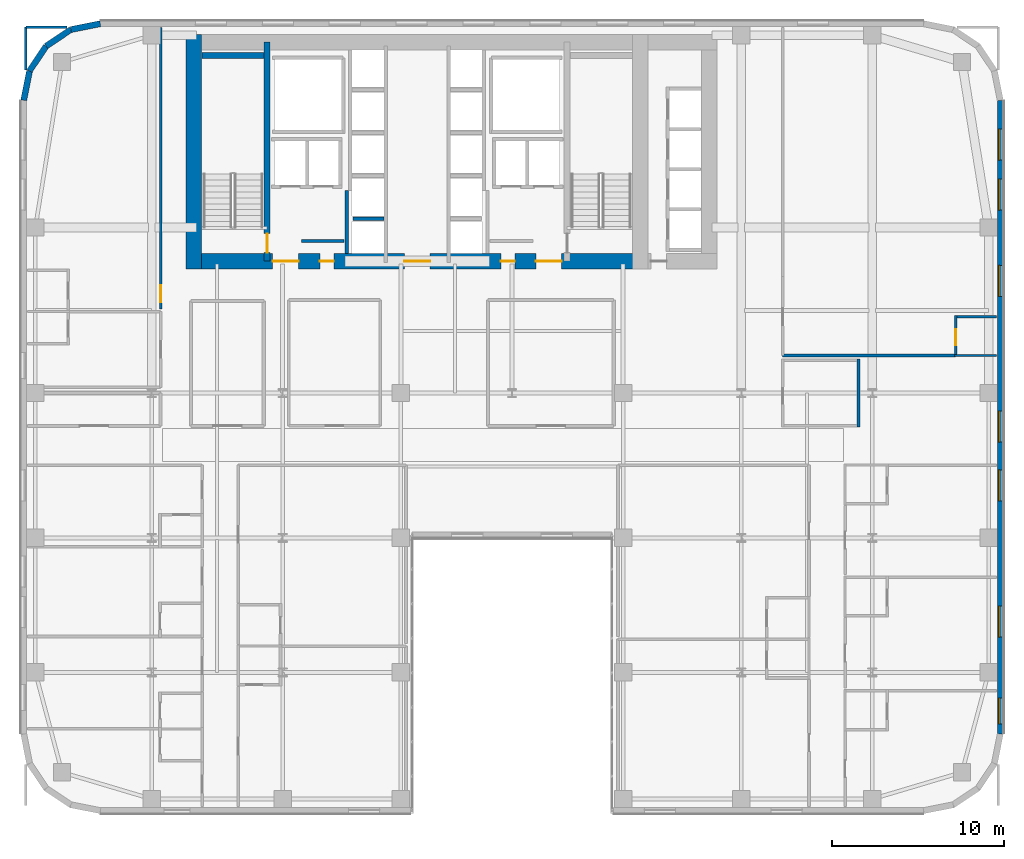
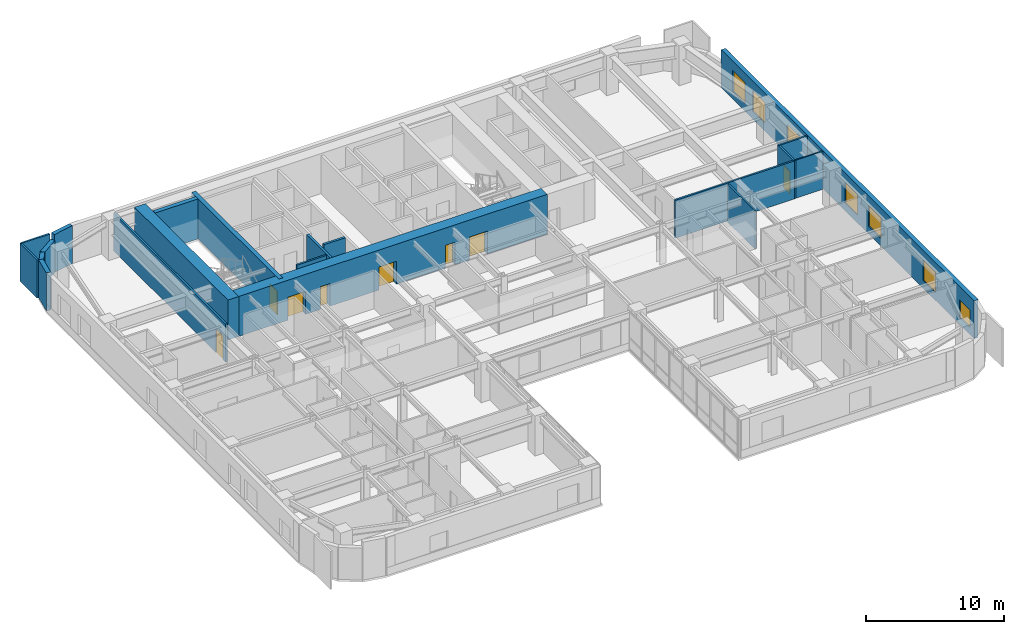
# One storey, part 17 of 25: 20 walls, 8 doors, 7 windows, 15 openings.
"""IFC4 building model written with IfcOpenShell, lengths in metres."""

from ifc_helpers import new_model, si_unit, direction, frame, frame_2d, origin, place, context, subcontext, project, spatial, rectangle, extrude, source, transform, mapped, material, layer, layer_set, type_object, type_shapes, element, fill, save


model = new_model("IFC4")

# Units and contexts
model_context = context("Model", 3, precision=1e-05, world=origin(), true_north=direction((0.0, 1.0)))
body_context = subcontext(model_context, "Body", "Model", "MODEL_VIEW")
ifc_project = project(units=[si_unit("LENGTHUNIT", "METRE"), si_unit("AREAUNIT", "SQUARE_METRE"), si_unit("VOLUMEUNIT", "CUBIC_METRE"), si_unit("PLANEANGLEUNIT", "RADIAN"), si_unit("MASSUNIT", "GRAM", prefix="KILO")], contexts=[model_context])

# Site, building, storey
site_placement = place(None, origin())
site = spatial("IfcSite", under=ifc_project, at=site_placement, CompositionType="ELEMENT")
building_placement = place(site_placement, origin())
building = spatial("IfcBuilding", under=site, at=building_placement, Name="Tolvann Quenvar Hotel", CompositionType="ELEMENT")
storey_placement = place(building_placement, frame((0.0, 0.0, 60.39990234375)))
storey = spatial("IfcBuildingStorey", under=building, at=storey_placement, Name="L14", CompositionType="ELEMENT", Elevation=60.39990234375)

# Wall, openings, doors
ifc_material_1 = material(Name="Concrete S80 (80 MPa)", Category="concrete")
ifc_layer_1 = layer(ifc_material_1, 0.89990234375)
ifc_layer_set_1 = layer_set([ifc_layer_1], Name="Concrete S80 (80 MPa)")
wall_type_1 = type_object("IfcWallType", Name="WALL_CORE_900", PredefinedType="SHEAR", material=ifc_layer_set_1)
wall_1_placement = place(storey_placement, frame((9.60009765625, 32.050048828125, 0.0), z_axis=(0.0, 0.0, 1.0), x_axis=(1.0, 0.0, 0.0)))
wall_1 = element("IfcWall", 1, at=wall_1_placement, inside=storey, type_object=wall_type_1, Name="Rear Core S Shear Wall (L14)", PredefinedType="SHEAR", context=body_context, shape_type="SweptSolid", body=[
    extrude(rectangle(XDim=26.7998046875, YDim=0.89990234375, at=frame_2d((13.39990234375, 0.0))), origin(), (0.0, 0.0, 1.0), 3.550048828125),
])
opening_1_placement = place(wall_1_placement, frame((6.52001953125, 0.0, 0.0), z_axis=(0.0, 0.0, 1.0), x_axis=(-1.0, 0.0, 0.0)))
opening_1 = element("IfcOpeningElement", 2, at=opening_1_placement, cuts=wall_1, Name="Opening FD-60D", PredefinedType="OPENING", context=body_context, shape_type="SweptSolid", body=[
    extrude(rectangle(XDim=1.5, YDim=2.0400390625, at=frame_2d((0.75, 1.02001953125))), frame((0.0, 0.4599609375, 0.0), z_axis=(0.0, -1.0, 0.0), x_axis=(1.0, 0.0, 0.0)), (0.0, 0.0, 1.0), 0.919921875),
])
opening_2_placement = place(wall_1_placement, frame((14.14990234375, 0.0, 0.0), z_axis=(0.0, 0.0, 1.0), x_axis=(-1.0, 0.0, 0.0)))
opening_2 = element("IfcOpeningElement", 3, at=opening_2_placement, cuts=wall_1, Name="Opening FD-60D", PredefinedType="OPENING", context=body_context, shape_type="SweptSolid", body=[
    extrude(rectangle(XDim=1.5, YDim=2.0400390625, at=frame_2d((0.75, 1.02001953125))), frame((0.0, 0.4599609375, 0.0), z_axis=(0.0, -1.0, 0.0), x_axis=(1.0, 0.0, 0.0)), (0.0, 0.0, 1.0), 0.919921875),
])
opening_3_placement = place(wall_1_placement, frame((21.780029296875, 0.0, 0.0), z_axis=(0.0, 0.0, 1.0), x_axis=(-1.0, 0.0, 0.0)))
opening_3 = element("IfcOpeningElement", 4, at=opening_3_placement, cuts=wall_1, Name="Opening FD-60D", PredefinedType="OPENING", context=body_context, shape_type="SweptSolid", body=[
    extrude(rectangle(XDim=1.5, YDim=2.0400390625, at=frame_2d((0.75, 1.02001953125))), frame((0.0, 0.4599609375, 0.0), z_axis=(0.0, -1.0, 0.0), x_axis=(1.0, 0.0, 0.0)), (0.0, 0.0, 1.0), 0.919921875),
])
opening_4_placement = place(wall_1_placement, frame((8.570068359375, 0.0, 0.0), z_axis=(0.0, 0.0, 1.0), x_axis=(-1.0, 0.0, 0.0)))
opening_4 = element("IfcOpeningElement", 5, at=opening_4_placement, cuts=wall_1, Name="Opening HD-02", PredefinedType="OPENING", context=body_context, shape_type="SweptSolid", body=[
    extrude(rectangle(XDim=0.820068359375, YDim=2.010009765625, at=frame_2d((0.41015625, 1.0048828125))), frame((0.0, 0.4599609375, 0.0), z_axis=(0.0, -1.0, 0.0), x_axis=(1.0, 0.0, 0.0)), (0.0, 0.0, 1.0), 0.919921875),
])
opening_5_placement = place(wall_1_placement, frame((19.070068359375, 0.0, 0.0), z_axis=(0.0, 0.0, 1.0), x_axis=(-1.0, 0.0, 0.0)))
opening_5 = element("IfcOpeningElement", 6, at=opening_5_placement, cuts=wall_1, Name="Opening HD-02", PredefinedType="OPENING", context=body_context, shape_type="SweptSolid", body=[
    extrude(rectangle(XDim=0.820068359375, YDim=2.010009765625, at=frame_2d((0.41015625, 1.0048828125))), frame((0.0, 0.4599609375, 0.0), z_axis=(0.0, -1.0, 0.0), x_axis=(1.0, 0.0, 0.0)), (0.0, 0.0, 1.0), 0.919921875),
])
ifc_material_2 = material(Name="Solid-core American oak acoustic fire door leaf in steel frame", Category="steel")
door_type_1 = type_object("IfcDoorType", Name="DOOR_FIRE_LOBBY_1500", OperationType="NOTDEFINED", PredefinedType="DOOR", material=ifc_material_2)
shared_shape_1 = source(origin(), body_context, "Body", "SweptSolid", [
    extrude(rectangle(XDim=1.5, YDim=2.0400390625, at=frame_2d((0.75, 1.02001953125))), frame((0.0, 0.02490234375, 0.0), z_axis=(0.0, -1.0, 0.0), x_axis=(1.0, 0.0, 0.0)), (0.0, 0.0, 1.0), 0.050048828125),
])
type_shapes(door_type_1, [shared_shape_1])
door_1_placement = place(opening_1_placement, origin())
door_1 = element("IfcDoor", 7, at=door_1_placement, inside=storey, type_object=door_type_1, Name="Core Lobby Fire Door FFW (L14)", OperationType="DOUBLE_DOOR_SINGLE_SWING", OverallHeight=2.0400390625, OverallWidth=1.5, PredefinedType="DOOR", context=body_context, shape_type="MappedRepresentation", body=[
    mapped(shared_shape_1, transform((0.0, 0.0, 0.0), x_axis=(1.0, 0.0, 0.0), y_axis=(0.0, 1.0, 0.0), z_axis=(0.0, 0.0, 1.0), scale=1.0)),
])
fill(opening_1, door_1)
door_2_placement = place(opening_2_placement, origin())
door_2 = element("IfcDoor", 8, at=door_2_placement, inside=storey, type_object=door_type_1, Name="Core Lobby Fire Door CLOB (L14)", OperationType="DOUBLE_DOOR_SINGLE_SWING", OverallHeight=2.0400390625, OverallWidth=1.5, PredefinedType="DOOR", context=body_context, shape_type="MappedRepresentation", body=[
    mapped(shared_shape_1, transform((0.0, 0.0, 0.0), x_axis=(1.0, 0.0, 0.0), y_axis=(0.0, 1.0, 0.0), z_axis=(0.0, 0.0, 1.0), scale=1.0)),
])
fill(opening_2, door_2)
door_3_placement = place(opening_3_placement, origin())
door_3 = element("IfcDoor", 9, at=door_3_placement, inside=storey, type_object=door_type_1, Name="Core Lobby Fire Door FFE (L14)", OperationType="DOUBLE_DOOR_SINGLE_SWING", OverallHeight=2.0400390625, OverallWidth=1.5, PredefinedType="DOOR", context=body_context, shape_type="MappedRepresentation", body=[
    mapped(shared_shape_1, transform((0.0, 0.0, 0.0), x_axis=(1.0, 0.0, 0.0), y_axis=(0.0, 1.0, 0.0), z_axis=(0.0, 0.0, 1.0), scale=1.0)),
])
fill(opening_3, door_3)
ifc_material_3 = material(Name="Pressed galvanised steel fire-rated door set", Category="steel")
door_type_2 = type_object("IfcDoorType", Name="DOOR_STORE_820", OperationType="NOTDEFINED", PredefinedType="DOOR", material=ifc_material_3)
shared_shape_2 = source(origin(), body_context, "Body", "SweptSolid", [
    extrude(rectangle(XDim=0.820068359375, YDim=2.010009765625, at=frame_2d((0.41015625, 1.0048828125))), frame((0.0, 0.02490234375, 0.0), z_axis=(0.0, -1.0, 0.0), x_axis=(1.0, 0.0, 0.0)), (0.0, 0.0, 1.0), 0.050048828125),
])
type_shapes(door_type_2, [shared_shape_2])
door_4_placement = place(opening_4_placement, origin())
door_4 = element("IfcDoor", 10, at=door_4_placement, inside=storey, type_object=door_type_2, Name="Core Linen Store Fire Door (L14)", OperationType="SINGLE_SWING_RIGHT", OverallHeight=2.010009765625, OverallWidth=0.820068359375, PredefinedType="DOOR", context=body_context, shape_type="MappedRepresentation", body=[
    mapped(shared_shape_2, transform((0.0, 0.0, 0.0), x_axis=(1.0, 0.0, 0.0), y_axis=(0.0, 1.0, 0.0), z_axis=(0.0, 0.0, 1.0), scale=1.0)),
])
fill(opening_4, door_4)
door_5_placement = place(opening_5_placement, origin())
door_5 = element("IfcDoor", 11, at=door_5_placement, inside=storey, type_object=door_type_2, Name="Core Comms Closet Fire Door (L14)", OperationType="SINGLE_SWING_LEFT", OverallHeight=2.010009765625, OverallWidth=0.820068359375, PredefinedType="DOOR", context=body_context, shape_type="MappedRepresentation", body=[
    mapped(shared_shape_2, transform((0.0, 0.0, 0.0), x_axis=(1.0, 0.0, 0.0), y_axis=(0.0, 1.0, 0.0), z_axis=(0.0, 0.0, 1.0), scale=1.0)),
])
fill(opening_5, door_5)

# Wall
wall_2_placement = place(storey_placement, frame((10.050048828125, 31.60009765625, 0.0), z_axis=(0.0, 0.0, 1.0), x_axis=(0.0, 1.0, 0.0)))
element("IfcWall", 12, at=wall_2_placement, inside=storey, type_object=wall_type_1, Name="Rear Core W Shear Wall (L14)", PredefinedType="SHEAR", context=body_context, shape_type="SweptSolid", body=[
    extrude(rectangle(XDim=13.599853515625, YDim=0.89990234375, at=frame_2d((6.7998046875, 0.0))), origin(), (0.0, 0.0, 1.0), 3.550048828125),
])

# Wall, opening, door
ifc_material_4 = material(Name="Concrete S65 (65 MPa)", Category="concrete")
ifc_layer_2 = layer(ifc_material_4, 0.35009765625)
ifc_layer_set_2 = layer_set([ifc_layer_2], Name="Concrete S65 (65 MPa)")
wall_type_2 = type_object("IfcWallType", Name="WALL_CORE_INT_350", PredefinedType="SHEAR", material=ifc_layer_set_2)
wall_3_placement = place(storey_placement, frame((14.300048828125, 32.050048828125, 0.0), z_axis=(0.0, 0.0, 1.0), x_axis=(0.0, 1.0, 0.0)))
wall_3 = element("IfcWall", 13, at=wall_3_placement, inside=storey, type_object=wall_type_2, Name="Core Internal Web Shear Wall WEB-W (L14)", PredefinedType="SHEAR", context=body_context, shape_type="SweptSolid", body=[
    extrude(rectangle(XDim=12.699951171875, YDim=0.35009765625, at=frame_2d((6.35009765625, 0.0))), origin(), (0.0, 0.0, 1.0), 3.550048828125),
])
opening_6_placement = place(wall_3_placement, frame((0.5, 0.0, 0.0)))
opening_6 = element("IfcOpeningElement", 14, at=opening_6_placement, cuts=wall_3, Name="Opening FD-120", PredefinedType="OPENING", context=body_context, shape_type="SweptSolid", body=[
    extrude(rectangle(XDim=1.10009765625, YDim=2.1201171875, at=frame_2d((0.550048828125, 1.06005859375))), frame((0.0, 0.18505859375, 0.0), z_axis=(0.0, -1.0, 0.0), x_axis=(1.0, 0.0, 0.0)), (0.0, 0.0, 1.0), 0.3701171875),
])
door_type_3 = type_object("IfcDoorType", Name="DOOR_FIRE_STAIR_1100", OperationType="NOTDEFINED", PredefinedType="DOOR", material=ifc_material_3)
shared_shape_3 = source(origin(), body_context, "Body", "SweptSolid", [
    extrude(rectangle(XDim=1.10009765625, YDim=2.1201171875, at=frame_2d((0.550048828125, 1.06005859375))), frame((0.0, 0.02490234375, 0.0), z_axis=(0.0, -1.0, 0.0), x_axis=(1.0, 0.0, 0.0)), (0.0, 0.0, 1.0), 0.050048828125),
])
type_shapes(door_type_3, [shared_shape_3])
door_6_placement = place(opening_6_placement, origin())
door_6 = element("IfcDoor", 15, at=door_6_placement, inside=storey, type_object=door_type_3, Name="Exit Stair ST-C1 Fire Door (L14)", OperationType="SINGLE_SWING_RIGHT", OverallHeight=2.1201171875, OverallWidth=1.10009765625, PredefinedType="DOOR", context=body_context, shape_type="MappedRepresentation", body=[
    mapped(shared_shape_3, transform((0.0, 0.0, 0.0), x_axis=(1.0, 0.0, 0.0), y_axis=(0.0, 1.0, 0.0), z_axis=(0.0, 0.0, 1.0), scale=1.0)),
])
fill(opening_6, door_6)

# Wall
wall_4_placement = place(storey_placement, frame((10.52001953125, 43.97509765625, 0.0), z_axis=(0.0, 0.0, 1.0), x_axis=(1.0, 0.0, 0.0)))
element("IfcWall", 16, at=wall_4_placement, inside=storey, type_object=wall_type_2, Name="Core Stair North Closing Shear Wall STC1-N (L14)", PredefinedType="SHEAR", context=body_context, shape_type="SweptSolid", body=[
    extrude(rectangle(XDim=3.60009765625, YDim=0.35009765625, at=frame_2d((1.800048828125, 0.0))), origin(), (0.0, 0.0, 1.0), 3.550048828125),
])

# Wall, openings, windows
ifc_material_5 = material(Name="Kiln-fired red and buff architectural clay brickwork and terracotta masonry", Category="masonry")
ifc_layer_3 = layer(ifc_material_5, 0.35009765625)
ifc_layer_set_3 = layer_set([ifc_layer_3], Name="Kiln-fired red and buff architectural clay brickwork and terracotta masonry")
wall_type_3 = type_object("IfcWallType", Name="WALL_EXT_BRICK_350", PredefinedType="SOLIDWALL", material=ifc_layer_set_3)
wall_5_placement = place(storey_placement, frame((56.824951171875, 4.6171875, 0.0), z_axis=(0.0, 0.0, 1.0), x_axis=(0.0, 1.0, 0.0)))
wall_5 = element("IfcWall", 17, at=wall_5_placement, inside=storey, type_object=wall_type_3, Name="Exterior Chicago Brick Wall L14-E13", PredefinedType="SOLIDWALL", context=body_context, shape_type="SweptSolid", body=[
    extrude(rectangle(XDim=36.765625, YDim=0.35009765625, at=frame_2d((18.3828125, 0.0))), origin(), (0.0, 0.0, 1.0), 3.3701171875),
])
opening_7_placement = place(wall_5_placement, frame((5.6279296875, 0.0, 0.679931640625)))
opening_7 = element("IfcOpeningElement", 18, at=opening_7_placement, cuts=wall_5, Name="Opening W-03", PredefinedType="OPENING", context=body_context, shape_type="SweptSolid", body=[
    extrude(rectangle(XDim=1.800048828125, YDim=1.85009765625, at=frame_2d((0.89990234375, 0.925048828125))), frame((0.0, 0.18505859375, 0.0), z_axis=(0.0, -1.0, 0.0), x_axis=(1.0, 0.0, 0.0)), (0.0, 0.0, 1.0), 0.3701171875),
])
opening_8_placement = place(wall_5_placement, frame((13.531005859375, 0.0, 0.679931640625)))
opening_8 = element("IfcOpeningElement", 19, at=opening_8_placement, cuts=wall_5, Name="Opening W-03", PredefinedType="OPENING", context=body_context, shape_type="SweptSolid", body=[
    extrude(rectangle(XDim=1.800048828125, YDim=1.85009765625, at=frame_2d((0.89990234375, 0.925048828125))), frame((0.0, 0.18505859375, 0.0), z_axis=(0.0, -1.0, 0.0), x_axis=(1.0, 0.0, 0.0)), (0.0, 0.0, 1.0), 0.3701171875),
])
opening_9_placement = place(wall_5_placement, frame((16.93310546875, 0.0, 0.679931640625)))
opening_9 = element("IfcOpeningElement", 20, at=opening_9_placement, cuts=wall_5, Name="Opening W-03", PredefinedType="OPENING", context=body_context, shape_type="SweptSolid", body=[
    extrude(rectangle(XDim=1.800048828125, YDim=1.85009765625, at=frame_2d((0.89990234375, 0.925048828125))), frame((0.0, 0.18505859375, 0.0), z_axis=(0.0, -1.0, 0.0), x_axis=(1.0, 0.0, 0.0)), (0.0, 0.0, 1.0), 0.3701171875),
])
opening_10_placement = place(wall_5_placement, frame((25.385986328125, 0.0, 0.679931640625)))
opening_10 = element("IfcOpeningElement", 21, at=opening_10_placement, cuts=wall_5, Name="Opening W-03", PredefinedType="OPENING", context=body_context, shape_type="SweptSolid", body=[
    extrude(rectangle(XDim=1.800048828125, YDim=1.85009765625, at=frame_2d((0.89990234375, 0.925048828125))), frame((0.0, 0.18505859375, 0.0), z_axis=(0.0, -1.0, 0.0), x_axis=(1.0, 0.0, 0.0)), (0.0, 0.0, 1.0), 0.3701171875),
])
opening_11_placement = place(wall_5_placement, frame((30.387939453125, 0.0, 0.679931640625)))
opening_11 = element("IfcOpeningElement", 22, at=opening_11_placement, cuts=wall_5, Name="Opening W-03", PredefinedType="OPENING", context=body_context, shape_type="SweptSolid", body=[
    extrude(rectangle(XDim=1.800048828125, YDim=1.85009765625, at=frame_2d((0.89990234375, 0.925048828125))), frame((0.0, 0.18505859375, 0.0), z_axis=(0.0, -1.0, 0.0), x_axis=(1.0, 0.0, 0.0)), (0.0, 0.0, 1.0), 0.3701171875),
])
opening_12_placement = place(wall_5_placement, frame((33.2900390625, 0.0, 0.679931640625)))
opening_12 = element("IfcOpeningElement", 23, at=opening_12_placement, cuts=wall_5, Name="Opening W-03", PredefinedType="OPENING", context=body_context, shape_type="SweptSolid", body=[
    extrude(rectangle(XDim=1.800048828125, YDim=1.85009765625, at=frame_2d((0.89990234375, 0.925048828125))), frame((0.0, 0.18505859375, 0.0), z_axis=(0.0, -1.0, 0.0), x_axis=(1.0, 0.0, 0.0)), (0.0, 0.0, 1.0), 0.3701171875),
])
opening_13_placement = place(wall_5_placement, frame((0.5859375, 0.0, 0.6201171875)))
opening_13 = element("IfcOpeningElement", 24, at=opening_13_placement, cuts=wall_5, Name="Opening W-08", PredefinedType="OPENING", context=body_context, shape_type="SweptSolid", body=[
    extrude(rectangle(XDim=1.5, YDim=1.550048828125, at=frame_2d((0.75, 0.77490234375))), frame((0.0, 0.18505859375, 0.0), z_axis=(0.0, -1.0, 0.0), x_axis=(1.0, 0.0, 0.0)), (0.0, 0.0, 1.0), 0.3701171875),
])
ifc_material_6 = material(Name="Thermally broken bronze-anodised aluminium frame with double low-E glazing", Category="aluminium")
window_type_1 = type_object("IfcWindowType", Name="WIN_COR_1500x2050", PartitioningType="SINGLE_PANEL", PredefinedType="WINDOW", material=ifc_material_6)
shared_shape_4 = source(origin(), body_context, "Body", "SweptSolid", [
    extrude(rectangle(XDim=1.5, YDim=1.550048828125, at=frame_2d((0.75, 0.77490234375))), frame((0.0, 0.090087890625, 0.0), z_axis=(0.0, -1.0, 0.0), x_axis=(1.0, 0.0, 0.0)), (0.0, 0.0, 1.0), 0.06005859375),
])
type_shapes(window_type_1, [shared_shape_4])
window_1_placement = place(opening_13_placement, origin())
window_1 = element("IfcWindow", 25, at=window_1_placement, inside=storey, type_object=window_type_1, Name="Chicago Window W-08 (EW-L14-E13-WD07)", OverallHeight=1.550048828125, OverallWidth=1.5, PartitioningType="SINGLE_PANEL", PredefinedType="WINDOW", context=body_context, shape_type="MappedRepresentation", body=[
    mapped(shared_shape_4, transform((0.0, 0.0, 0.0), x_axis=(1.0, 0.0, 0.0), y_axis=(0.0, 1.0, 0.0), z_axis=(0.0, 0.0, 1.0), scale=1.0)),
])
fill(opening_13, window_1)
window_type_2 = type_object("IfcWindowType", Name="WIN_CHI_1800x2050", PartitioningType="TRIPLE_PANEL_HORIZONTAL", PredefinedType="WINDOW", material=ifc_material_6)
shared_shape_5 = source(origin(), body_context, "Body", "SweptSolid", [
    extrude(rectangle(XDim=1.800048828125, YDim=1.85009765625, at=frame_2d((0.89990234375, 0.925048828125))), frame((0.0, 0.090087890625, 0.0), z_axis=(0.0, -1.0, 0.0), x_axis=(1.0, 0.0, 0.0)), (0.0, 0.0, 1.0), 0.06005859375),
])
type_shapes(window_type_2, [shared_shape_5])
window_2_placement = place(opening_7_placement, origin())
window_2 = element("IfcWindow", 26, at=window_2_placement, inside=storey, type_object=window_type_2, Name="Chicago Window W-03 (EW-L14-E13-W01)", OverallHeight=1.85009765625, OverallWidth=1.800048828125, PartitioningType="TRIPLE_PANEL_HORIZONTAL", PredefinedType="WINDOW", context=body_context, shape_type="MappedRepresentation", body=[
    mapped(shared_shape_5, transform((0.0, 0.0, 0.0), x_axis=(1.0, 0.0, 0.0), y_axis=(0.0, 1.0, 0.0), z_axis=(0.0, 0.0, 1.0), scale=1.0)),
])
fill(opening_7, window_2)
window_3_placement = place(opening_8_placement, origin())
window_3 = element("IfcWindow", 27, at=window_3_placement, inside=storey, type_object=window_type_2, Name="Chicago Window W-03 (EW-L14-E13-W02)", OverallHeight=1.85009765625, OverallWidth=1.800048828125, PartitioningType="TRIPLE_PANEL_HORIZONTAL", PredefinedType="WINDOW", context=body_context, shape_type="MappedRepresentation", body=[
    mapped(shared_shape_5, transform((0.0, 0.0, 0.0), x_axis=(1.0, 0.0, 0.0), y_axis=(0.0, 1.0, 0.0), z_axis=(0.0, 0.0, 1.0), scale=1.0)),
])
fill(opening_8, window_3)
window_4_placement = place(opening_9_placement, origin())
window_4 = element("IfcWindow", 28, at=window_4_placement, inside=storey, type_object=window_type_2, Name="Chicago Window W-03 (EW-L14-E13-W03)", OverallHeight=1.85009765625, OverallWidth=1.800048828125, PartitioningType="TRIPLE_PANEL_HORIZONTAL", PredefinedType="WINDOW", context=body_context, shape_type="MappedRepresentation", body=[
    mapped(shared_shape_5, transform((0.0, 0.0, 0.0), x_axis=(1.0, 0.0, 0.0), y_axis=(0.0, 1.0, 0.0), z_axis=(0.0, 0.0, 1.0), scale=1.0)),
])
fill(opening_9, window_4)
window_5_placement = place(opening_10_placement, origin())
window_5 = element("IfcWindow", 29, at=window_5_placement, inside=storey, type_object=window_type_2, Name="Chicago Window W-03 (EW-L14-E13-W04)", OverallHeight=1.85009765625, OverallWidth=1.800048828125, PartitioningType="TRIPLE_PANEL_HORIZONTAL", PredefinedType="WINDOW", context=body_context, shape_type="MappedRepresentation", body=[
    mapped(shared_shape_5, transform((0.0, 0.0, 0.0), x_axis=(1.0, 0.0, 0.0), y_axis=(0.0, 1.0, 0.0), z_axis=(0.0, 0.0, 1.0), scale=1.0)),
])
fill(opening_10, window_5)
window_6_placement = place(opening_11_placement, origin())
window_6 = element("IfcWindow", 30, at=window_6_placement, inside=storey, type_object=window_type_2, Name="Chicago Window W-03 (EW-L14-E13-W05)", OverallHeight=1.85009765625, OverallWidth=1.800048828125, PartitioningType="TRIPLE_PANEL_HORIZONTAL", PredefinedType="WINDOW", context=body_context, shape_type="MappedRepresentation", body=[
    mapped(shared_shape_5, transform((0.0, 0.0, 0.0), x_axis=(1.0, 0.0, 0.0), y_axis=(0.0, 1.0, 0.0), z_axis=(0.0, 0.0, 1.0), scale=1.0)),
])
fill(opening_11, window_6)
window_7_placement = place(opening_12_placement, origin())
window_7 = element("IfcWindow", 31, at=window_7_placement, inside=storey, type_object=window_type_2, Name="Chicago Window W-03 (EW-L14-E13-W06)", OverallHeight=1.85009765625, OverallWidth=1.800048828125, PartitioningType="TRIPLE_PANEL_HORIZONTAL", PredefinedType="WINDOW", context=body_context, shape_type="MappedRepresentation", body=[
    mapped(shared_shape_5, transform((0.0, 0.0, 0.0), x_axis=(1.0, 0.0, 0.0), y_axis=(0.0, 1.0, 0.0), z_axis=(0.0, 0.0, 1.0), scale=1.0)),
])
fill(opening_12, window_7)

# Walls
wall_6_placement = place(storey_placement, frame((4.6171875, 45.824951171875, 0.0), z_axis=(0.0, 0.0, 1.0), x_axis=(-0.980800971659, -0.195011420161, 0.0)))
element("IfcWall", 32, at=wall_6_placement, inside=storey, type_object=wall_type_3, Name="Exterior Chicago Brick Wall L14-E19", PredefinedType="SOLIDWALL", context=body_context, shape_type="SweptSolid", body=[
    extrude(rectangle(XDim=1.74267578125, YDim=0.35009765625, at=frame_2d((0.871337890625, 0.0))), origin(), (0.0, 0.0, 1.0), 3.3701171875),
])
for number, where, z_axis, x_axis, name in (
    (33, (2.907958984375, 45.485107421875, 0.0), (0.0, 0.0, 1.0), (-0.831483840845, -0.55554893791, 0.0), "Exterior Chicago Brick Wall L14-E20"),
    (34, (1.473388671875, 44.526611328125, 0.0), (0.0, 0.0, 1.0), (-0.55554893791, -0.831483840845, 0.0), "Exterior Chicago Brick Wall L14-E21"),
):
    element("IfcWall", number, at=place(storey_placement, frame(where, z_axis=z_axis, x_axis=x_axis)), inside=storey, type_object=wall_type_3, Name=name, PredefinedType="SOLIDWALL", context=body_context, shape_type="SweptSolid", body=[
        extrude(rectangle(XDim=1.725341796875, YDim=0.35009765625, at=frame_2d((0.86279296875, 0.0))), origin(), (0.0, 0.0, 1.0), 2.83203125),
    ])
wall_7_placement = place(storey_placement, frame((0.514892578125, 43.092041015625, 0.0), z_axis=(0.0, 0.0, 1.0), x_axis=(-0.195011420161, -0.980800971659, 0.0)))
element("IfcWall", 35, at=wall_7_placement, inside=storey, type_object=wall_type_3, Name="Exterior Chicago Brick Wall L14-E22", PredefinedType="SOLIDWALL", context=body_context, shape_type="SweptSolid", body=[
    extrude(rectangle(XDim=1.74267578125, YDim=0.35009765625, at=frame_2d((0.871337890625, 0.0))), origin(), (0.0, 0.0, 1.0), 3.3701171875),
])
ifc_material_7 = material(Name="Moisture-resistant acoustic plumbing wall assembly")
ifc_layer_4 = layer(ifc_material_7, 0.1201171875)
ifc_layer_set_4 = layer_set([ifc_layer_4], Name="Moisture-resistant acoustic plumbing wall assembly")
wall_type_4 = type_object("IfcWallType", Name="WALL_PART_BATH_120", PredefinedType="PLUMBINGWALL", material=ifc_layer_set_4)
wall_8_placement = place(storey_placement, frame((54.179931640625, 26.580078125, 0.0), z_axis=(0.0, 0.0, 1.0), x_axis=(1.0, 0.0, 0.0)))
element("IfcWall", 36, at=wall_8_placement, inside=storey, type_object=wall_type_4, Name="Non-Rated Plumbing Partition PT-SPC-L14-ENS-NE01-S", PredefinedType="PLUMBINGWALL", context=body_context, shape_type="SweptSolid", body=[
    extrude(rectangle(XDim=2.4150390625, YDim=0.1201171875, at=frame_2d((1.20751953125, 0.0))), origin(), (0.0, 0.0, 1.0), 3.3701171875),
])

# Wall, opening, door
ifc_material_8 = material(Name="Acoustic twin-stud fire-rated gypsum plasterboard partition")
ifc_layer_5 = layer(ifc_material_8, 0.14990234375)
ifc_layer_set_5 = layer_set([ifc_layer_5], Name="Acoustic twin-stud fire-rated gypsum plasterboard partition")
wall_type_5 = type_object("IfcWallType", Name="WALL_PART_SUITE_150", PredefinedType="PARTITIONING", material=ifc_layer_set_5)
wall_9_placement = place(storey_placement, frame((54.25, 26.510009765625, 0.0), z_axis=(0.0, 0.0, 1.0), x_axis=(0.0, 1.0, 0.0)))
wall_9 = element("IfcWall", 37, at=wall_9_placement, inside=storey, type_object=wall_type_5, Name="Interior Partition PT-SPC-L14-ENS-NE01-ENT", PredefinedType="PARTITIONING", context=body_context, shape_type="SweptSolid", body=[
    extrude(rectangle(XDim=2.389892578125, YDim=0.14990234375, at=frame_2d((1.19482421875, 0.0))), origin(), (0.0, 0.0, 1.0), 3.3701171875),
])
opening_14_placement = place(wall_9_placement, frame((0.6650390625, 0.0, 0.0)))
opening_14 = element("IfcOpeningElement", 38, at=opening_14_placement, cuts=wall_9, Name="Opening WD-01", PredefinedType="OPENING", context=body_context, shape_type="SweptSolid", body=[
    extrude(rectangle(XDim=0.919921875, YDim=2.010009765625, at=frame_2d((0.4599609375, 1.0048828125))), frame((0.0, 0.0849609375, 0.0), z_axis=(0.0, -1.0, 0.0), x_axis=(1.0, 0.0, 0.0)), (0.0, 0.0, 1.0), 0.169921875),
])
door_type_4 = type_object("IfcDoorType", Name="DOOR_WC_920", OperationType="NOTDEFINED", PredefinedType="DOOR", material=ifc_material_2)
shared_shape_6 = source(origin(), body_context, "Body", "SweptSolid", [
    extrude(rectangle(XDim=0.919921875, YDim=2.010009765625, at=frame_2d((0.4599609375, 1.0048828125))), frame((0.0, 0.02490234375, 0.0), z_axis=(0.0, -1.0, 0.0), x_axis=(1.0, 0.0, 0.0)), (0.0, 0.0, 1.0), 0.050048828125),
])
type_shapes(door_type_4, [shared_shape_6])
door_7_placement = place(opening_14_placement, origin())
door_7 = element("IfcDoor", 39, at=door_7_placement, inside=storey, type_object=door_type_4, Name="Interior Door DOOR-SPC-L14-ENS-NE01", OperationType="SINGLE_SWING_LEFT", OverallHeight=2.010009765625, OverallWidth=0.919921875, PredefinedType="DOOR", context=body_context, shape_type="MappedRepresentation", body=[
    mapped(shared_shape_6, transform((0.0, 0.0, 0.0), x_axis=(1.0, 0.0, 0.0), y_axis=(0.0, 1.0, 0.0), z_axis=(0.0, 0.0, 1.0), scale=1.0)),
])
fill(opening_14, door_7)

# Walls
wall_10_placement = place(storey_placement, frame((54.179931640625, 28.830078125, 0.0), z_axis=(0.0, 0.0, 1.0), x_axis=(1.0, 0.0, 0.0)))
element("IfcWall", 40, at=wall_10_placement, inside=storey, type_object=wall_type_5, Name="Interior Partition PT-SPC-L14-ENS-NE01-N", PredefinedType="PARTITIONING", context=body_context, shape_type="SweptSolid", body=[
    extrude(rectangle(XDim=2.4150390625, YDim=0.14990234375, at=frame_2d((1.20751953125, 0.0))), origin(), (0.0, 0.0, 1.0), 3.3701171875),
])
wall_11_placement = place(storey_placement, frame((16.280029296875, 33.219970703125, 0.0), z_axis=(0.0, 0.0, 1.0), x_axis=(1.0, 0.0, 0.0)))
element("IfcWall", 41, at=wall_11_placement, inside=storey, type_object=wall_type_5, Name="Interior Partition PT-SPC-L14-CSW-1-N", PredefinedType="PARTITIONING", context=body_context, shape_type="SweptSolid", body=[
    extrude(rectangle(XDim=2.48486328125, YDim=0.14990234375, at=frame_2d((1.242431640625, 0.0))), origin(), (0.0, 0.0, 1.0), 3.3701171875),
])

# Wall, opening, door
wall_12_placement = place(storey_placement, frame((8.1201171875, 29.280029296875, 0.0), z_axis=(0.0, 0.0, 1.0), x_axis=(0.0, 1.0, 0.0)))
wall_12 = element("IfcWall", 42, at=wall_12_placement, inside=storey, type_object=wall_type_5, Name="Interior Partition PT-SPC-L14-RM-NW02-ENT", PredefinedType="PARTITIONING", context=body_context, shape_type="SweptSolid", body=[
    extrude(rectangle(XDim=16.31494140625, YDim=0.14990234375, at=frame_2d((8.157470703125, 0.0))), origin(), (0.0, 0.0, 1.0), 3.3701171875),
])
opening_15_placement = place(wall_12_placement, frame((0.39501953125, 0.0, 0.0)))
opening_15 = element("IfcOpeningElement", 43, at=opening_15_placement, cuts=wall_12, Name="Opening SD-01", PredefinedType="OPENING", context=body_context, shape_type="SweptSolid", body=[
    extrude(rectangle(XDim=0.97998046875, YDim=2.1201171875, at=frame_2d((0.489990234375, 1.06005859375))), frame((0.0, 0.0849609375, 0.0), z_axis=(0.0, -1.0, 0.0), x_axis=(1.0, 0.0, 0.0)), (0.0, 0.0, 1.0), 0.169921875),
])
door_type_5 = type_object("IfcDoorType", Name="DOOR_SUITE_980", OperationType="NOTDEFINED", PredefinedType="DOOR", material=ifc_material_2)
shared_shape_7 = source(origin(), body_context, "Body", "SweptSolid", [
    extrude(rectangle(XDim=0.97998046875, YDim=2.1201171875, at=frame_2d((0.489990234375, 1.06005859375))), frame((0.0, 0.02490234375, 0.0), z_axis=(0.0, -1.0, 0.0), x_axis=(1.0, 0.0, 0.0)), (0.0, 0.0, 1.0), 0.050048828125),
])
type_shapes(door_type_5, [shared_shape_7])
door_8_placement = place(opening_15_placement, origin())
door_8 = element("IfcDoor", 44, at=door_8_placement, inside=storey, type_object=door_type_5, Name="Interior Door DOOR-SPC-L14-RM-NW02", OperationType="SINGLE_SWING_RIGHT", OverallHeight=2.1201171875, OverallWidth=0.97998046875, PredefinedType="DOOR", context=body_context, shape_type="MappedRepresentation", body=[
    mapped(shared_shape_7, transform((0.0, 0.0, 0.0), x_axis=(1.0, 0.0, 0.0), y_axis=(0.0, 1.0, 0.0), z_axis=(0.0, 0.0, 1.0), scale=1.0)),
])
fill(opening_15, door_8)

# Walls
wall_13_placement = place(storey_placement, frame((0.300048828125, 45.6201171875, 0.0), z_axis=(0.0, 0.0, 1.0), x_axis=(1.0, 0.0, 0.0)))
element("IfcWall", 45, at=wall_13_placement, inside=storey, type_object=wall_type_5, Name="Interior Partition PT-SPC-L14-RM-NW02-E5", PredefinedType="PARTITIONING", context=body_context, shape_type="SweptSolid", body=[
    extrude(rectangle(XDim=2.39599609375, YDim=0.14990234375, at=frame_2d((1.197998046875, 0.0))), origin(), (0.0, 0.0, 1.0), 3.3701171875),
])
wall_14_placement = place(storey_placement, frame((0.300048828125, 43.135009765625, 0.0), z_axis=(0.0, 0.0, 1.0), x_axis=(0.0, 1.0, 0.0)))
element("IfcWall", 46, at=wall_14_placement, inside=storey, type_object=wall_type_5, Name="Interior Partition PT-SPC-L14-RM-NW02-E6", PredefinedType="PARTITIONING", context=body_context, shape_type="SweptSolid", body=[
    extrude(rectangle(XDim=2.485107421875, YDim=0.14990234375, at=frame_2d((1.24267578125, 0.0))), origin(), (0.0, 0.0, 1.0), 3.3701171875),
])
wall_15_placement = place(storey_placement, frame((48.60009765625, 22.429931640625, 0.0), z_axis=(0.0, 0.0, 1.0), x_axis=(0.0, 1.0, 0.0)))
element("IfcWall", 47, at=wall_15_placement, inside=storey, type_object=wall_type_5, Name="Interior Partition PT-SPC-L14-WCA-E", PredefinedType="PARTITIONING", context=body_context, shape_type="SweptSolid", body=[
    extrude(rectangle(XDim=3.940185546875, YDim=0.14990234375, at=frame_2d((1.97021484375, 0.0))), origin(), (0.0, 0.0, 1.0), 3.3701171875),
])
wall_16_placement = place(storey_placement, frame((44.199951171875, 26.580078125, 0.0), z_axis=(0.0, 0.0, 1.0), x_axis=(1.0, 0.0, 0.0)))
element("IfcWall", 48, at=wall_16_placement, inside=storey, type_object=wall_type_5, Name="Interior Partition PT-SPC-L14-RM-NE01-E1", PredefinedType="PARTITIONING", context=body_context, shape_type="SweptSolid", body=[
    extrude(rectangle(XDim=10.030029296875, YDim=0.14990234375, at=frame_2d((5.01513671875, 0.0))), origin(), (0.0, 0.0, 1.0), 3.3701171875),
])
ifc_material_9 = material(Name="Concrete N40 (40 MPa)", Category="concrete")
ifc_layer_6 = layer(ifc_material_9, 0.199951171875)
ifc_layer_set_6 = layer_set([ifc_layer_6], Name="Concrete N40 (40 MPa)")
wall_type_6 = type_object("IfcWallType", Name="WALL_SHAFT_200", PredefinedType="SOLIDWALL", material=ifc_layer_set_6)
wall_17_placement = place(storey_placement, frame((18.919921875, 32.50390625, 0.0), z_axis=(0.0, 0.0, 1.0), x_axis=(0.0, 1.0, 0.0)))
element("IfcWall", 49, at=wall_17_placement, inside=storey, type_object=wall_type_6, Name="Firefighting Lobby W Inner Fire Wall (L14)", PredefinedType="SOLIDWALL", context=body_context, shape_type="SweptSolid", body=[
    extrude(rectangle(XDim=3.64599609375, YDim=0.199951171875, at=frame_2d((1.822998046875, 0.0))), origin(), (0.0, 0.0, 1.0), 3.3701171875),
])
wall_18_placement = place(storey_placement, frame((19.27001953125, 34.5, 0.0), z_axis=(0.0, 0.0, 1.0), x_axis=(1.0, 0.0, 0.0)))
element("IfcWall", 50, at=wall_18_placement, inside=storey, type_object=wall_type_6, Name="Lift Bank E21.1C1 Divider Wall 1 (L14)", PredefinedType="SOLIDWALL", context=body_context, shape_type="SweptSolid", body=[
    extrude(rectangle(XDim=1.800048828125, YDim=0.199951171875, at=frame_2d((0.89990234375, 0.0))), origin(), (0.0, 0.0, 1.0), 3.3701171875),
])

save(model, "model.ifc")
